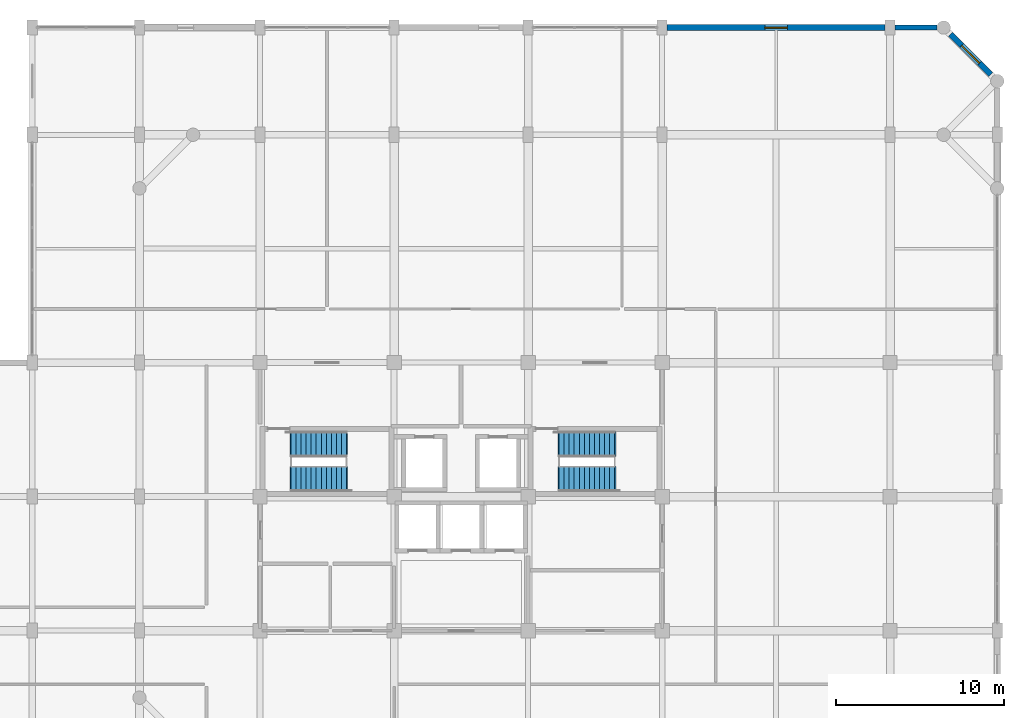
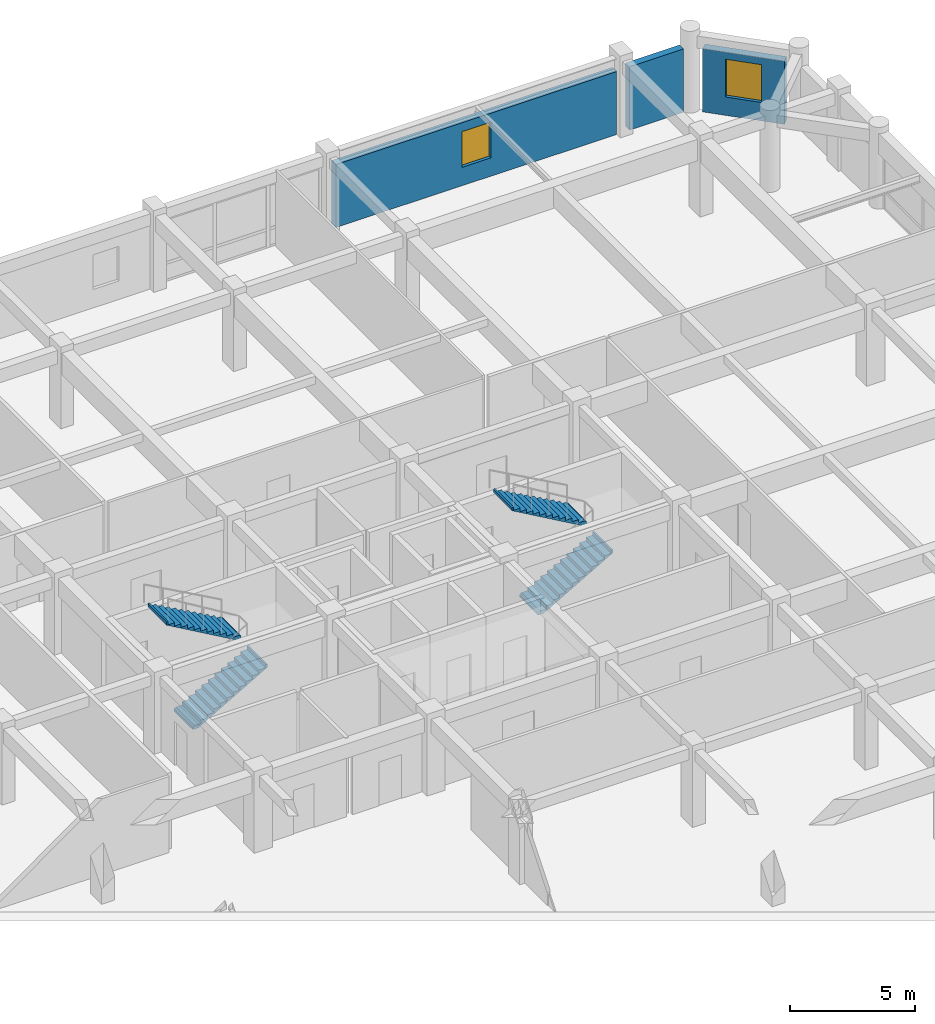
# One storey, part 24 of 27: 4 stair flights, 3 walls, 2 windows, 2 openings, 2 elements without a shape of their own.
"""IFC4 building model written with IfcOpenShell, lengths in metres."""

from ifc_helpers import new_model, si_unit, direction, frame, frame_2d, origin, place, context, subcontext, project, spatial, polyline, rectangle, outline, extrude, material, layer, layer_set, type_object, element, fill, aggregate, save


model = new_model("IFC4")

# Units and contexts
model_context = context("Model", 3, precision=1e-05, world=origin(), true_north=direction((0.0, 1.0)))
body_context = subcontext(model_context, "Body", "Model", "MODEL_VIEW")
ifc_project = project(units=[si_unit("LENGTHUNIT", "METRE"), si_unit("AREAUNIT", "SQUARE_METRE"), si_unit("VOLUMEUNIT", "CUBIC_METRE"), si_unit("PLANEANGLEUNIT", "RADIAN"), si_unit("MASSUNIT", "GRAM", prefix="KILO")], contexts=[model_context])

# Site, building, storey
site_placement = place(None, origin())
site = spatial("IfcSite", under=ifc_project, at=site_placement, CompositionType="ELEMENT")
building_placement = place(site_placement, origin())
building = spatial("IfcBuilding", under=site, at=building_placement, Name="Vellmiral Cinema and Media Centre", CompositionType="ELEMENT")
storey_placement = place(building_placement, frame((0.0, 0.0, 19.800048828125)))
storey = spatial("IfcBuildingStorey", under=building, at=storey_placement, Name="L04", CompositionType="ELEMENT", Elevation=19.800048828125)

# Wall
ifc_material_1 = material(Name="Polychrome Glazed Ceramic Cladding", Category="masonry")
ifc_layer_1 = layer(ifc_material_1, 0.320068359375, Name="Polychrome Glazed Ceramic Cladding")
ifc_layer_set_1 = layer_set([ifc_layer_1], Name="Polychrome Glazed Ceramic Cladding")
wall_type_1 = type_object("IfcWallType", Name="WL-EXT-BRICK-320", PredefinedType="SOLIDWALL", material=ifc_layer_set_1)
wall_1_placement = place(storey_placement, frame((164.39990234375, 115.199951171875, 0.0), z_axis=(0.0, 0.0, 1.0), x_axis=(-1.0, 0.0, 0.0)))
element("IfcWall", 1, at=wall_1_placement, inside=storey, type_object=wall_type_1, Name="Exterior Facade Wall L04-021", PredefinedType="SOLIDWALL", context=body_context, shape_type="SweptSolid", body=[
    extrude(rectangle(XDim=2.5, YDim=0.320068359375, at=frame_2d((1.25, 0.0))), origin(), (0.0, 0.0, 1.0), 3.099853515625),
])

# Wall, opening, window
ifc_material_2 = material(Name="Vosges Red Sandstone Masonry", Category="masonry")
ifc_layer_2 = layer(ifc_material_2, 0.340087890625, Name="Vosges Red Sandstone Masonry")
ifc_layer_set_2 = layer_set([ifc_layer_2], Name="Vosges Red Sandstone Masonry")
wall_type_2 = type_object("IfcWallType", Name="WL-EXT-SAND-340", PredefinedType="SOLIDWALL", material=ifc_layer_set_2)
wall_2_placement = place(storey_placement, frame((167.60009765625, 112.39990234375, 0.0), z_axis=(0.0, 0.0, 1.0), x_axis=(-0.707106781187, 0.707106781187, 0.0)))
wall_2 = element("IfcWall", 2, at=wall_2_placement, inside=storey, type_object=wall_type_2, Name="Exterior Facade Wall L04-020", PredefinedType="SOLIDWALL", context=body_context, shape_type="SweptSolid", body=[
    extrude(rectangle(XDim=3.394287109375, YDim=0.340087890625, at=frame_2d((1.697265625, 0.0))), origin(), (0.0, 0.0, 1.0), 3.094970703125),
])
opening_1_placement = place(wall_2_placement, frame((0.947021484375, 0.0, 0.89990234375)))
opening_1 = element("IfcOpeningElement", 3, at=opening_1_placement, cuts=wall_2, Name="Opening WN-06", PredefinedType="OPENING", context=body_context, shape_type="SweptSolid", body=[
    extrude(rectangle(XDim=1.5, YDim=1.85009765625, at=frame_2d((0.75, 0.925048828125))), frame((0.0, 0.18212890625, 0.0), z_axis=(0.0, -1.0, 0.0), x_axis=(1.0, 0.0, 0.0)), (0.0, 0.0, 1.0), 0.364013671875),
])
ifc_material_3 = material(Name="Thermally Broken Aluminium Triple Glazing", Category="aluminium")
window_type_1 = type_object("IfcWindowType", Name="WN-1500x1850", PartitioningType="SINGLE_PANEL", PredefinedType="WINDOW", material=ifc_material_3)
window_1_placement = place(opening_1_placement, origin())
window_1 = element("IfcWindow", 4, at=window_1_placement, inside=storey, type_object=window_type_1, Name="Window L04-020", OverallHeight=1.85009765625, OverallWidth=1.5, PartitioningType="SINGLE_PANEL", PredefinedType="WINDOW", context=body_context, shape_type="SweptSolid", body=[
    extrude(rectangle(XDim=1.5, YDim=1.85009765625, at=frame_2d((0.75, 0.925048828125))), frame((0.0, 0.030029296875, 0.0), z_axis=(0.0, -1.0, 0.0), x_axis=(1.0, 0.0, 0.0)), (0.0, 0.0, 1.0), 0.06005859375),
])
fill(opening_1, window_1)

wall_3_placement = place(storey_placement, frame((161.300048828125, 115.199951171875, 0.0), z_axis=(0.0, 0.0, 1.0), x_axis=(-1.0, 0.0, 0.0)))
wall_3 = element("IfcWall", 5, at=wall_3_placement, inside=storey, type_object=wall_type_2, Name="Exterior Facade Wall L04-022", PredefinedType="SOLIDWALL", context=body_context, shape_type="SweptSolid", body=[
    extrude(rectangle(XDim=13.0, YDim=0.340087890625, at=frame_2d((6.5, 0.0))), origin(), (0.0, 0.0, 1.0), 3.0849609375),
])
opening_2_placement = place(wall_3_placement, frame((5.824951171875, 0.0, 0.89990234375)))
opening_2 = element("IfcOpeningElement", 6, at=opening_2_placement, cuts=wall_3, Name="Opening WN-08", PredefinedType="OPENING", context=body_context, shape_type="SweptSolid", body=[
    extrude(rectangle(XDim=1.35009765625, YDim=1.75, at=frame_2d((0.675048828125, 0.875))), frame((0.0, 0.18212890625, 0.0), z_axis=(0.0, -1.0, 0.0), x_axis=(1.0, 0.0, 0.0)), (0.0, 0.0, 1.0), 0.364013671875),
])
ifc_material_4 = material(Name="Thermally Broken Aluminium Triple Glazing", Category="aluminium")
window_type_2 = type_object("IfcWindowType", Name="WN-1350x1750", PartitioningType="SINGLE_PANEL", PredefinedType="WINDOW", material=ifc_material_4)
window_2_placement = place(opening_2_placement, origin())
window_2 = element("IfcWindow", 7, at=window_2_placement, inside=storey, type_object=window_type_2, Name="Window L04-022", OverallHeight=1.75, OverallWidth=1.35009765625, PartitioningType="SINGLE_PANEL", PredefinedType="WINDOW", context=body_context, shape_type="SweptSolid", body=[
    extrude(rectangle(XDim=1.35009765625, YDim=1.75, at=frame_2d((0.675048828125, 0.875))), frame((0.0, 0.030029296875, 0.0), z_axis=(0.0, -1.0, 0.0), x_axis=(1.0, 0.0, 0.0)), (0.0, 0.0, 1.0), 0.06005859375),
])
fill(opening_2, window_2)

# Stair, stair flights
ifc_material_5 = material(Name="Concrete C40/50", Category="concrete")
stair_type = type_object("IfcStairType", Name="ST-2RET-400", PredefinedType="HALF_TURN_STAIR", material=ifc_material_5)
stair_1_placement = place(storey_placement, origin())
stair_1 = element("IfcStair", 8, at=stair_1_placement, inside=storey, type_object=stair_type, Name="Protected Escape Stair ST-T1 (L04)", PredefinedType="HALF_TURN_STAIR")
ifc_material_6 = material(Name="Concrete C40/50", Category="concrete")
stair_flight_type = type_object("IfcStairFlightType", Name="STF-STR-400", PredefinedType="STRAIGHT", material=ifc_material_6)
stair_flight_1_placement = place(storey_placement, frame((125.85009765625, 88.25, 0.0), z_axis=(0.0, 0.0, 1.0), x_axis=(1.0, 0.0, 0.0)))
stair_flight_1 = element("IfcStairFlight", 9, at=stair_flight_1_placement, type_object=stair_flight_type, Name="ST-T1 flight 1", NumberOfRisers=12, NumberOfTreads=11, PredefinedType="STRAIGHT", RiserHeight=0.166666667, TreadLength=0.3, context=body_context, shape_type="SweptSolid", body=[
    extrude(outline(polyline([(-0.080078125, 0.0), (-0.080078125, 0.10009765625), (0.0, 0.166748046875), (0.300048828125, 0.166748046875), (0.300048828125, 0.333251953125), (0.60009765625, 0.333251953125), (0.60009765625, 0.5), (0.89990234375, 0.5), (0.89990234375, 0.666748046875), (1.199951171875, 0.666748046875), (1.199951171875, 0.833251953125), (1.5, 0.833251953125), (1.5, 1.0), (1.800048828125, 1.0), (1.800048828125, 1.166748046875), (2.10009765625, 1.166748046875), (2.10009765625, 1.333251953125), (2.39990234375, 1.333251953125), (2.39990234375, 1.5), (2.699951171875, 1.5), (2.699951171875, 1.666748046875), (3.0, 1.666748046875), (3.0, 1.833251953125), (3.300048828125, 1.833251953125), (3.300048828125, 2.0), (3.380126953125, 2.0), (3.380126953125, 1.840087890625), (0.179931640625, 0.0), (-0.080078125, 0.0)])), frame((0.0, 0.75, 0.0), z_axis=(0.0, -1.0, 0.0), x_axis=(1.0, 0.0, 0.0)), (0.0, 0.0, 1.0), 1.5),
])
stair_flight_2_placement = place(storey_placement, frame((129.14990234375, 90.35009765625, 2.0), z_axis=(0.0, 0.0, 1.0), x_axis=(-1.0, 0.0, 0.0)))
stair_flight_2 = element("IfcStairFlight", 10, at=stair_flight_2_placement, type_object=stair_flight_type, Name="ST-T1 flight 2", NumberOfRisers=12, NumberOfTreads=11, PredefinedType="STRAIGHT", RiserHeight=0.166666667, TreadLength=0.3, context=body_context, shape_type="SweptSolid", body=[
    extrude(outline(polyline([(-0.080078125, 0.0), (-0.080078125, 0.10009765625), (0.0, 0.166748046875), (0.300048828125, 0.166748046875), (0.300048828125, 0.333251953125), (0.60009765625, 0.333251953125), (0.60009765625, 0.5), (0.89990234375, 0.5), (0.89990234375, 0.666748046875), (1.199951171875, 0.666748046875), (1.199951171875, 0.833251953125), (1.5, 0.833251953125), (1.5, 1.0), (1.800048828125, 1.0), (1.800048828125, 1.166748046875), (2.10009765625, 1.166748046875), (2.10009765625, 1.333251953125), (2.39990234375, 1.333251953125), (2.39990234375, 1.5), (2.699951171875, 1.5), (2.699951171875, 1.666748046875), (3.0, 1.666748046875), (3.0, 1.833251953125), (3.300048828125, 1.833251953125), (3.300048828125, 2.0), (3.380126953125, 2.0), (3.380126953125, 1.840087890625), (0.179931640625, 0.0), (-0.080078125, 0.0)])), frame((0.0, 0.75, 0.0), z_axis=(0.0, -1.0, 0.0), x_axis=(1.0, 0.0, 0.0)), (0.0, 0.0, 1.0), 1.5),
])
aggregate(stair_1, [stair_flight_1, stair_flight_2])

stair_2_placement = place(storey_placement, origin())
stair_2 = element("IfcStair", 11, at=stair_2_placement, inside=storey, type_object=stair_type, Name="Protected Escape Stair ST-T2 (L04)", PredefinedType="HALF_TURN_STAIR")
stair_flight_3_placement = place(storey_placement, frame((141.85009765625, 88.25, 0.0), z_axis=(0.0, 0.0, 1.0), x_axis=(1.0, 0.0, 0.0)))
stair_flight_3 = element("IfcStairFlight", 12, at=stair_flight_3_placement, type_object=stair_flight_type, Name="ST-T2 flight 1", NumberOfRisers=12, NumberOfTreads=11, PredefinedType="STRAIGHT", RiserHeight=0.166666667, TreadLength=0.3, context=body_context, shape_type="SweptSolid", body=[
    extrude(outline(polyline([(-0.080078125, 0.0), (-0.080078125, 0.10009765625), (0.0, 0.166748046875), (0.300048828125, 0.166748046875), (0.300048828125, 0.333251953125), (0.60009765625, 0.333251953125), (0.60009765625, 0.5), (0.89990234375, 0.5), (0.89990234375, 0.666748046875), (1.199951171875, 0.666748046875), (1.199951171875, 0.833251953125), (1.5, 0.833251953125), (1.5, 1.0), (1.800048828125, 1.0), (1.800048828125, 1.166748046875), (2.10009765625, 1.166748046875), (2.10009765625, 1.333251953125), (2.39990234375, 1.333251953125), (2.39990234375, 1.5), (2.699951171875, 1.5), (2.699951171875, 1.666748046875), (3.0, 1.666748046875), (3.0, 1.833251953125), (3.300048828125, 1.833251953125), (3.300048828125, 2.0), (3.380126953125, 2.0), (3.380126953125, 1.840087890625), (0.179931640625, 0.0), (-0.080078125, 0.0)])), frame((0.0, 0.75, 0.0), z_axis=(0.0, -1.0, 0.0), x_axis=(1.0, 0.0, 0.0)), (0.0, 0.0, 1.0), 1.5),
])
stair_flight_4_placement = place(storey_placement, frame((145.14990234375, 90.35009765625, 2.0), z_axis=(0.0, 0.0, 1.0), x_axis=(-1.0, 0.0, 0.0)))
stair_flight_4 = element("IfcStairFlight", 13, at=stair_flight_4_placement, type_object=stair_flight_type, Name="ST-T2 flight 2", NumberOfRisers=12, NumberOfTreads=11, PredefinedType="STRAIGHT", RiserHeight=0.166666667, TreadLength=0.3, context=body_context, shape_type="SweptSolid", body=[
    extrude(outline(polyline([(-0.080078125, 0.0), (-0.080078125, 0.10009765625), (0.0, 0.166748046875), (0.300048828125, 0.166748046875), (0.300048828125, 0.333251953125), (0.60009765625, 0.333251953125), (0.60009765625, 0.5), (0.89990234375, 0.5), (0.89990234375, 0.666748046875), (1.199951171875, 0.666748046875), (1.199951171875, 0.833251953125), (1.5, 0.833251953125), (1.5, 1.0), (1.800048828125, 1.0), (1.800048828125, 1.166748046875), (2.10009765625, 1.166748046875), (2.10009765625, 1.333251953125), (2.39990234375, 1.333251953125), (2.39990234375, 1.5), (2.699951171875, 1.5), (2.699951171875, 1.666748046875), (3.0, 1.666748046875), (3.0, 1.833251953125), (3.300048828125, 1.833251953125), (3.300048828125, 2.0), (3.380126953125, 2.0), (3.380126953125, 1.840087890625), (0.179931640625, 0.0), (-0.080078125, 0.0)])), frame((0.0, 0.75, 0.0), z_axis=(0.0, -1.0, 0.0), x_axis=(1.0, 0.0, 0.0)), (0.0, 0.0, 1.0), 1.5),
])
aggregate(stair_2, [stair_flight_3, stair_flight_4])

save(model, "model.ifc")
